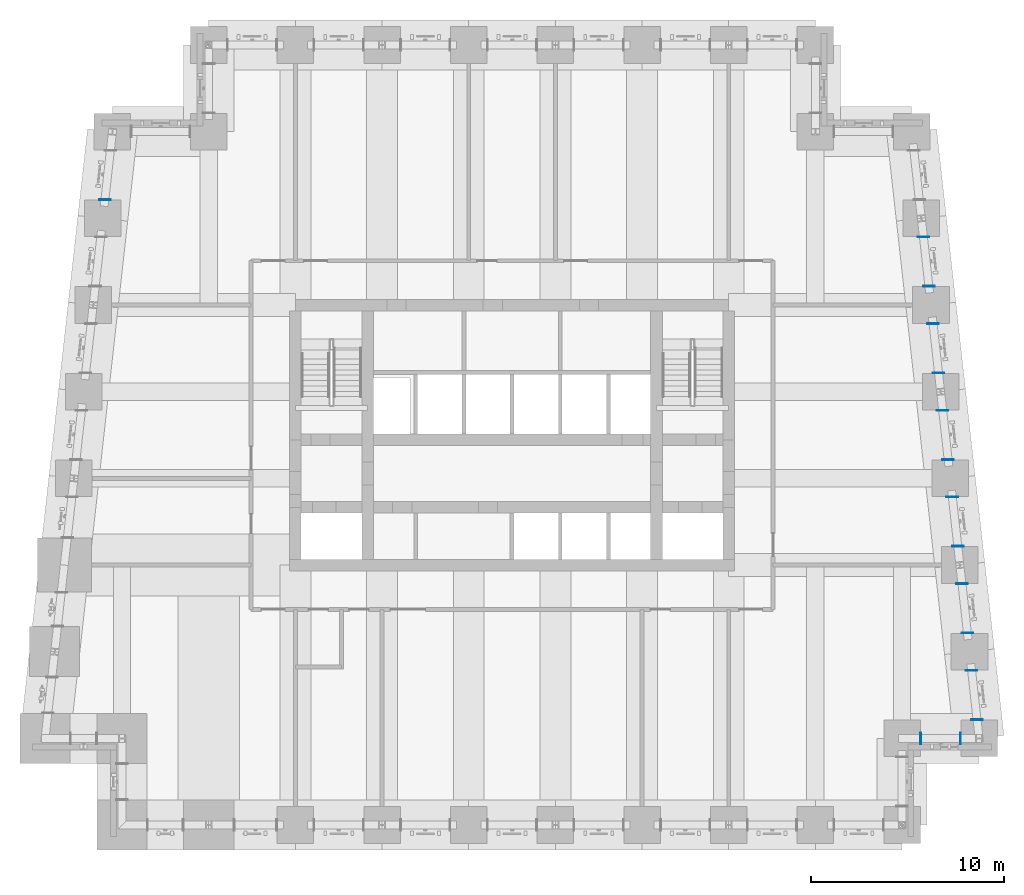
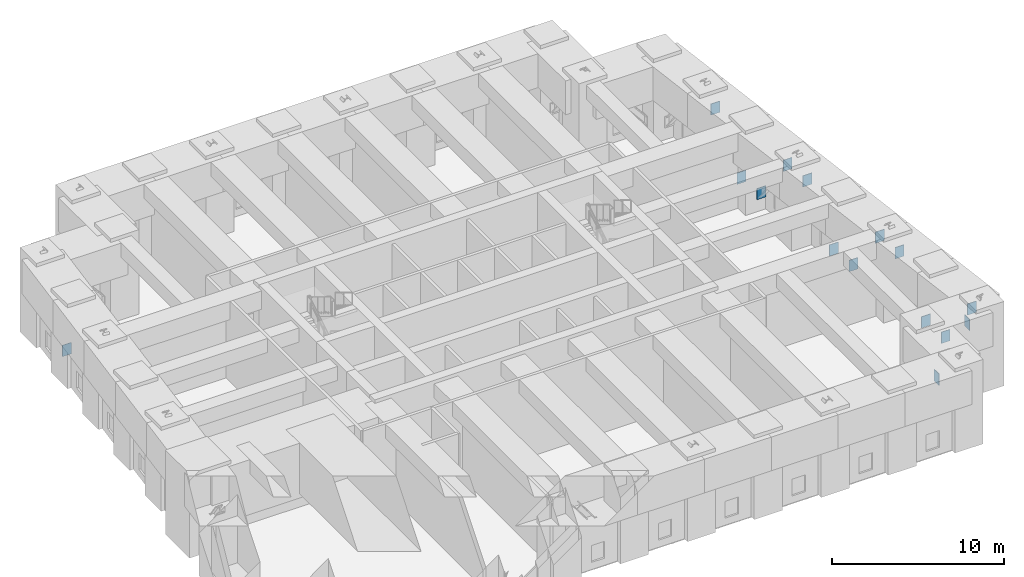
# One storey, part 7 of 17: 15 discrete accessories.
"""IFC4 building model written with IfcOpenShell, lengths in metres."""

from ifc_helpers import new_model, si_unit, direction, frame, origin, place, context, subcontext, project, spatial, polyline, outline, extrude, source, transform, mapped, material, layer, layer_set, type_object, element, save


model = new_model("IFC4")

# Units and contexts
model_context = context("Model", 3, precision=1e-05, world=origin(), true_north=direction((0.0, 1.0)))
body_context = subcontext(model_context, "Body", "Model", "MODEL_VIEW")
ifc_project = project(units=[si_unit("LENGTHUNIT", "METRE"), si_unit("AREAUNIT", "SQUARE_METRE"), si_unit("VOLUMEUNIT", "CUBIC_METRE"), si_unit("PLANEANGLEUNIT", "RADIAN"), si_unit("MASSUNIT", "GRAM", prefix="KILO")], contexts=[model_context])

# Site, building, storey
site_placement = place(None, origin())
site = spatial("IfcSite", under=ifc_project, at=site_placement, CompositionType="ELEMENT")
building_placement = place(site_placement, origin())
building = spatial("IfcBuilding", under=site, at=building_placement, Name="Kilele Tower Hotel", CompositionType="ELEMENT")
storey_placement = place(building_placement, frame((0.0, 0.0, 151.89990234375)))
storey = spatial("IfcBuildingStorey", under=building, at=storey_placement, Name="L39", CompositionType="ELEMENT", Elevation=151.89990234375)

# Discrete accessories
ifc_material = material(Name="Steel S355", Category="steel")
ifc_layer = layer(ifc_material, 0.0400390625)
ifc_layer_set = layer_set([ifc_layer], Name="Steel S355")
discrete_accessory_type = type_object("IfcDiscreteAccessoryType", Name="Cast-in anchor plate 800x600x40", PredefinedType="ANCHORPLATE", material=ifc_layer_set)
shared_shape = source(origin(), body_context, "Body", "SweptSolid", [
    extrude(outline(polyline([(0.0, 0.0), (0.0400390625, 0.0), (0.0400390625, 0.800048828125), (0.0, 0.800048828125), (0.0, 0.0)])), origin(), (0.0, 0.0, 1.0), 0.60009765625),
])
for number, where, z_axis, x_axis, name in (
    (1, (45.949951171875, 4.800048828125, 1.025146484375), (0.0, -1.0, 0.0), (1.0, 0.0, 0.0), "Cast-in anchor plate L39"),
    (2, (48.050048828125, 4.199951171875, 4.175048828125), (0.0, 1.0, 0.0), (-1.0, 0.0, 0.0), "Cast-in anchor plate L39"),
    (3, (48.594482421875, 5.449951171875, 4.33349609375), (1.0, 0.0, 0.0), (0.0, 1.0, 0.0), "Cast-in anchor plate L39"),
    (4, (48.905517578125, 8.050048828125, 0.86669921875), (-1.0, 0.0, 0.0), (0.0, -1.0, 0.0), "Cast-in anchor plate L39"),
    (5, (48.094482421875, 9.949951171875, 0.86669921875), (1.0, 0.0, 0.0), (0.0, 1.0, 0.0), "Cast-in anchor plate L39"),
    (6, (48.405517578125, 12.550048828125, 4.33349609375), (-1.0, 0.0, 0.0), (0.0, -1.0, 0.0), "Cast-in anchor plate L39"),
    (7, (47.594482421875, 14.449951171875, 4.33349609375), (1.0, 0.0, 0.0), (0.0, 1.0, 0.0), "Cast-in anchor plate L39"),
    (8, (47.905517578125, 17.050048828125, 0.86669921875), (-1.0, 0.0, 0.0), (0.0, -1.0, 0.0), "Cast-in anchor plate L39"),
    (9, (47.094482421875, 18.949951171875, 0.86669921875), (1.0, 0.0, 0.0), (0.0, 1.0, 0.0), "Cast-in anchor plate L39"),
    (10, (47.405517578125, 21.550048828125, 4.33349609375), (-1.0, 0.0, 0.0), (0.0, -1.0, 0.0), "Cast-in anchor plate L39"),
    (11, (46.594482421875, 23.449951171875, 4.33349609375), (1.0, 0.0, 0.0), (0.0, 1.0, 0.0), "Cast-in anchor plate L39"),
    (12, (46.905517578125, 26.050048828125, 0.86669921875), (-1.0, 0.0, 0.0), (0.0, -1.0, 0.0), "Cast-in anchor plate L39"),
    (13, (46.094482421875, 27.949951171875, 0.86669921875), (1.0, 0.0, 0.0), (0.0, 1.0, 0.0), "Cast-in anchor plate L39"),
    (14, (46.405517578125, 30.550048828125, 4.33349609375), (-1.0, 0.0, 0.0), (0.0, -1.0, 0.0), "Cast-in anchor plate L39"),
    (15, (3.3056640625, 32.449951171875, 0.86669921875), (1.0, 0.0, 0.0), (0.0, 1.0, 0.0), "Cast-in anchor plate L39"),
):
    element("IfcDiscreteAccessory", number, at=place(storey_placement, frame(where, z_axis=z_axis, x_axis=x_axis)), inside=storey, type_object=discrete_accessory_type, Name=name, PredefinedType="ANCHORPLATE", context=body_context, shape_type="MappedRepresentation", body=[
        mapped(shared_shape, transform((0.0, 0.0, 0.0))),
    ])

save(model, "model.ifc")
